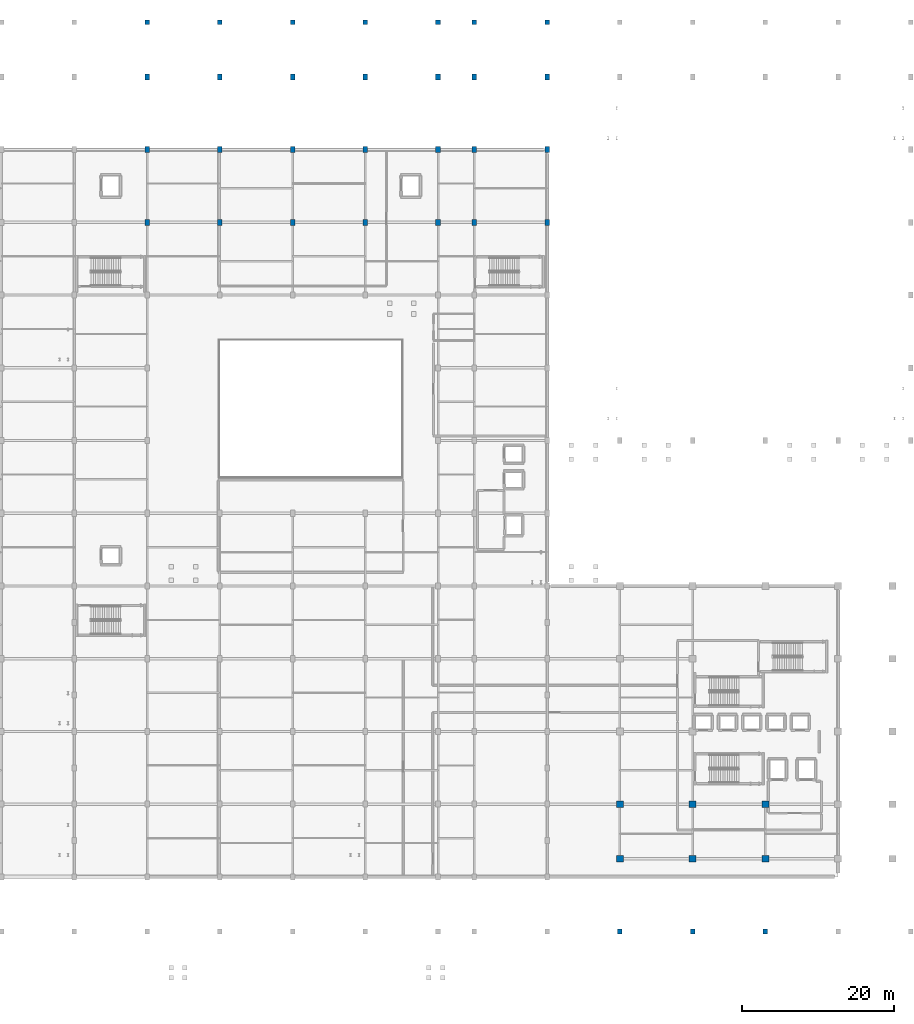
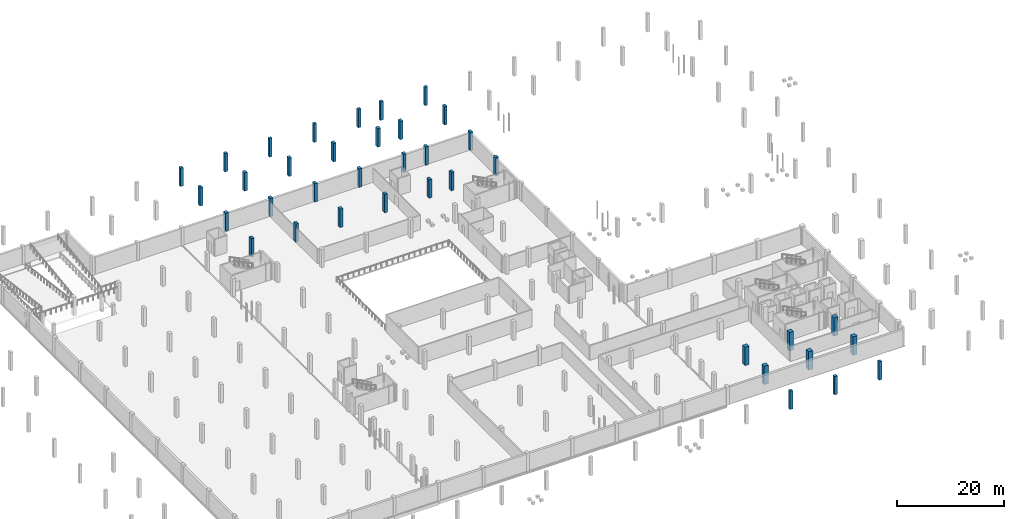
# One storey, part 16 of 47: 37 columns.
"""IFC4 building model written with IfcOpenShell, lengths in metres."""

from ifc_helpers import new_model, si_unit, direction, frame, origin, origin_2d, place, context, subcontext, project, spatial, rectangle, extrude, material, material_profile, profile_set, type_object, element, save


model = new_model("IFC4")

# Units and contexts
model_context = context("Model", 3, precision=1e-05, world=origin(), true_north=direction((0.0, 1.0)))
body_context = subcontext(model_context, "Body", "Model", "MODEL_VIEW")
ifc_project = project(units=[si_unit("LENGTHUNIT", "METRE"), si_unit("AREAUNIT", "SQUARE_METRE"), si_unit("VOLUMEUNIT", "CUBIC_METRE"), si_unit("PLANEANGLEUNIT", "RADIAN"), si_unit("MASSUNIT", "GRAM", prefix="KILO")], contexts=[model_context])

# Site, building, storey
site_placement = place(None, origin())
site = spatial("IfcSite", under=ifc_project, at=site_placement, CompositionType="ELEMENT")
building_placement = place(site_placement, origin())
building = spatial("IfcBuilding", under=site, at=building_placement, Name="Zevrakil Square Congress Hotel", CompositionType="ELEMENT")
storey_placement = place(building_placement, frame((0.0, 0.0, -4.199951171875)))
storey = spatial("IfcBuildingStorey", under=building, at=storey_placement, Name="B1", CompositionType="ELEMENT", Elevation=-4.199951171875)

# Columns
ifc_material_1 = material(Name="Concrete C40/50", Category="concrete")
ifc_material_profile_1 = material_profile(ifc_material_1, rectangle(XDim=0.60009765625, YDim=0.60009765625, at=origin_2d()), Name="RC 600x600")
ifc_profile_set_1 = profile_set([ifc_material_profile_1], Name="Concrete C40/50")
column_type_1 = type_object("IfcColumnType", Name="COL-RC600", PredefinedType="COLUMN", material=ifc_profile_set_1)
for number, where, z_axis, x_axis, name in (
    (1, (64.800048828125, 120.0, 0.0), (0.0, 0.0, 1.0), (1.0, 0.0, 0.0), "B1 column C-112"),
    (2, (74.39990234375, 120.0, 0.0), (0.0, 0.0, 1.0), (1.0, 0.0, 0.0), "B1 column C-124"),
    (3, (84.0, 120.0, 0.0), (0.0, 0.0, 1.0), (1.0, 0.0, 0.0), "B1 column C-136"),
    (4, (93.60009765625, 120.0, 0.0), (0.0, 0.0, 1.0), (1.0, 0.0, 0.0), "B1 column C-148"),
    (5, (103.199951171875, 120.0, 0.0), (0.0, 0.0, 1.0), (1.0, 0.0, 0.0), "B1 column C-162"),
    (6, (108.0, 120.0, 0.0), (0.0, 0.0, 1.0), (1.0, 0.0, 0.0), "B1 column C-176"),
    (7, (117.60009765625, 120.0, 0.0), (0.0, 0.0, 1.0), (1.0, 0.0, 0.0), "B1 column C-194"),
    (8, (127.199951171875, 0.0, 0.0), (0.0, 0.0, 1.0), (1.0, 0.0, 0.0), "B1 column C-195"),
    (9, (136.800048828125, 0.0, 0.0), (0.0, 0.0, 1.0), (1.0, 0.0, 0.0), "B1 column C-204"),
    (10, (146.39990234375, 0.0, 0.0), (0.0, 0.0, 1.0), (1.0, 0.0, 0.0), "B1 column C-213"),
):
    element("IfcColumn", number, at=place(storey_placement, frame(where, z_axis=z_axis, x_axis=x_axis)), inside=storey, type_object=column_type_1, Name=name, PredefinedType="COLUMN", context=body_context, shape_type="SweptSolid", body=[
        extrude(rectangle(XDim=0.60009765625, YDim=0.60009765625, at=origin_2d()), origin(), (0.0, 0.0, 1.0), 4.199951171875),
    ])
ifc_material_2 = material(Name="Concrete C40/50", Category="concrete")
ifc_material_profile_2 = material_profile(ifc_material_2, rectangle(XDim=0.60009765625, YDim=0.800048828125, at=origin_2d()), Name="RC 600x800")
ifc_profile_set_2 = profile_set([ifc_material_profile_2], Name="Concrete C40/50")
column_type_2 = type_object("IfcColumnType", Name="COL-RC600x800", PredefinedType="COLUMN", material=ifc_profile_set_2)
for number, where, z_axis, x_axis, name in (
    (11, (64.800048828125, 93.60009765625, 0.0), (0.0, 0.0, 1.0), (1.0, 0.0, 0.0), "B1 column C-109"),
    (12, (64.800048828125, 103.199951171875, 0.0), (0.0, 0.0, 1.0), (1.0, 0.0, 0.0), "B1 column C-110"),
    (13, (64.800048828125, 112.800048828125, 0.0), (0.0, 0.0, 1.0), (1.0, 0.0, 0.0), "B1 column C-111"),
    (14, (74.39990234375, 93.60009765625, 0.0), (0.0, 0.0, 1.0), (1.0, 0.0, 0.0), "B1 column C-121"),
    (15, (74.39990234375, 103.199951171875, 0.0), (0.0, 0.0, 1.0), (1.0, 0.0, 0.0), "B1 column C-122"),
    (16, (74.39990234375, 112.800048828125, 0.0), (0.0, 0.0, 1.0), (1.0, 0.0, 0.0), "B1 column C-123"),
    (17, (84.0, 93.60009765625, 0.0), (0.0, 0.0, 1.0), (1.0, 0.0, 0.0), "B1 column C-133"),
    (18, (84.0, 103.199951171875, 0.0), (0.0, 0.0, 1.0), (1.0, 0.0, 0.0), "B1 column C-134"),
    (19, (84.0, 112.800048828125, 0.0), (0.0, 0.0, 1.0), (1.0, 0.0, 0.0), "B1 column C-135"),
    (20, (93.60009765625, 93.60009765625, 0.0), (0.0, 0.0, 1.0), (1.0, 0.0, 0.0), "B1 column C-145"),
    (21, (93.60009765625, 103.199951171875, 0.0), (0.0, 0.0, 1.0), (1.0, 0.0, 0.0), "B1 column C-146"),
    (22, (93.60009765625, 112.800048828125, 0.0), (0.0, 0.0, 1.0), (1.0, 0.0, 0.0), "B1 column C-147"),
    (23, (103.199951171875, 93.60009765625, 0.0), (0.0, 0.0, 1.0), (1.0, 0.0, 0.0), "B1 column C-159"),
    (24, (103.199951171875, 103.199951171875, 0.0), (0.0, 0.0, 1.0), (1.0, 0.0, 0.0), "B1 column C-160"),
    (25, (103.199951171875, 112.800048828125, 0.0), (0.0, 0.0, 1.0), (1.0, 0.0, 0.0), "B1 column C-161"),
    (26, (108.0, 93.60009765625, 0.0), (0.0, 0.0, 1.0), (1.0, 0.0, 0.0), "B1 column C-173"),
    (27, (108.0, 103.199951171875, 0.0), (0.0, 0.0, 1.0), (1.0, 0.0, 0.0), "B1 column C-174"),
    (28, (108.0, 112.800048828125, 0.0), (0.0, 0.0, 1.0), (1.0, 0.0, 0.0), "B1 column C-175"),
    (29, (117.60009765625, 93.60009765625, 0.0), (0.0, 0.0, 1.0), (1.0, 0.0, 0.0), "B1 column C-191"),
    (30, (117.60009765625, 103.199951171875, 0.0), (0.0, 0.0, 1.0), (1.0, 0.0, 0.0), "B1 column C-192"),
    (31, (117.60009765625, 112.800048828125, 0.0), (0.0, 0.0, 1.0), (1.0, 0.0, 0.0), "B1 column C-193"),
):
    element("IfcColumn", number, at=place(storey_placement, frame(where, z_axis=z_axis, x_axis=x_axis)), inside=storey, type_object=column_type_2, Name=name, PredefinedType="COLUMN", context=body_context, shape_type="SweptSolid", body=[
        extrude(rectangle(XDim=0.60009765625, YDim=0.800048828125, at=origin_2d()), origin(), (0.0, 0.0, 1.0), 4.199951171875),
    ])
ifc_material_3 = material(Name="Concrete C40/50", Category="concrete")
ifc_material_profile_3 = material_profile(ifc_material_3, rectangle(XDim=0.89990234375, YDim=0.89990234375, at=origin_2d()), Name="RC 900x900")
ifc_profile_set_3 = profile_set([ifc_material_profile_3], Name="Concrete C40/50")
column_type_3 = type_object("IfcColumnType", Name="COL-RC900", PredefinedType="COLUMN", material=ifc_profile_set_3)
for number, where, z_axis, x_axis, name in (
    (32, (127.199951171875, 9.60009765625, 0.0), (0.0, 0.0, 1.0), (1.0, 0.0, 0.0), "B1 column C-196"),
    (33, (127.199951171875, 16.800048828125, 0.0), (0.0, 0.0, 1.0), (1.0, 0.0, 0.0), "B1 column C-197"),
    (34, (136.800048828125, 9.60009765625, 0.0), (0.0, 0.0, 1.0), (1.0, 0.0, 0.0), "B1 column C-205"),
    (35, (136.800048828125, 16.800048828125, 0.0), (0.0, 0.0, 1.0), (1.0, 0.0, 0.0), "B1 column C-206"),
    (36, (146.39990234375, 9.60009765625, 0.0), (0.0, 0.0, 1.0), (1.0, 0.0, 0.0), "B1 column C-214"),
    (37, (146.39990234375, 16.800048828125, 0.0), (0.0, 0.0, 1.0), (1.0, 0.0, 0.0), "B1 column C-215"),
):
    element("IfcColumn", number, at=place(storey_placement, frame(where, z_axis=z_axis, x_axis=x_axis)), inside=storey, type_object=column_type_3, Name=name, PredefinedType="COLUMN", context=body_context, shape_type="SweptSolid", body=[
        extrude(rectangle(XDim=0.89990234375, YDim=0.89990234375, at=origin_2d()), origin(), (0.0, 0.0, 1.0), 4.199951171875),
    ])

save(model, "model.ifc")
